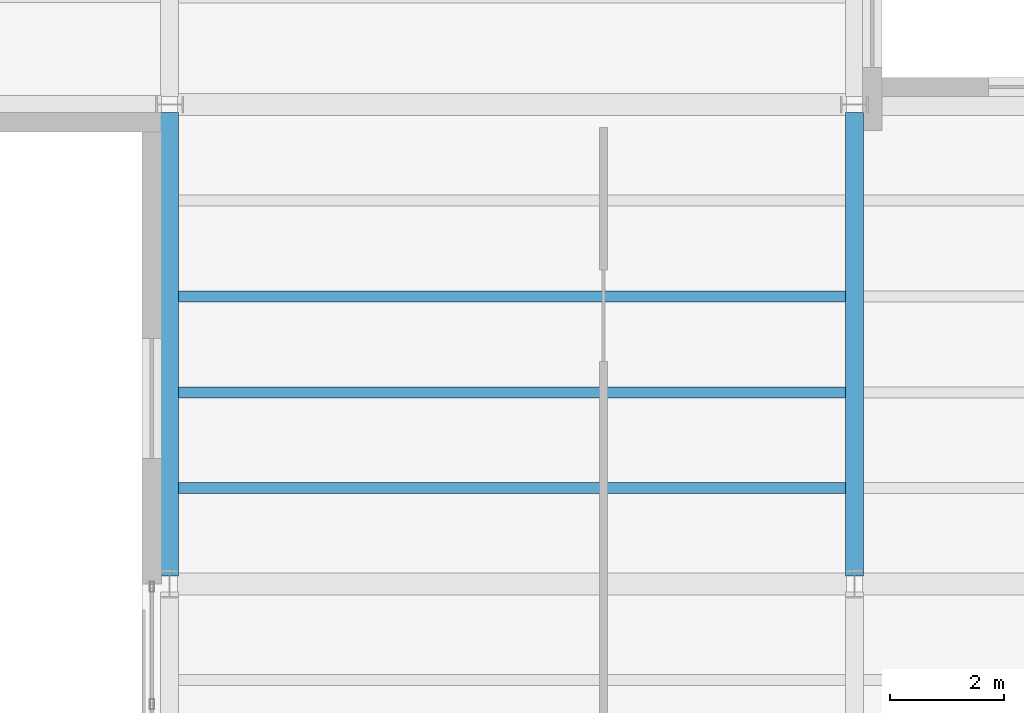
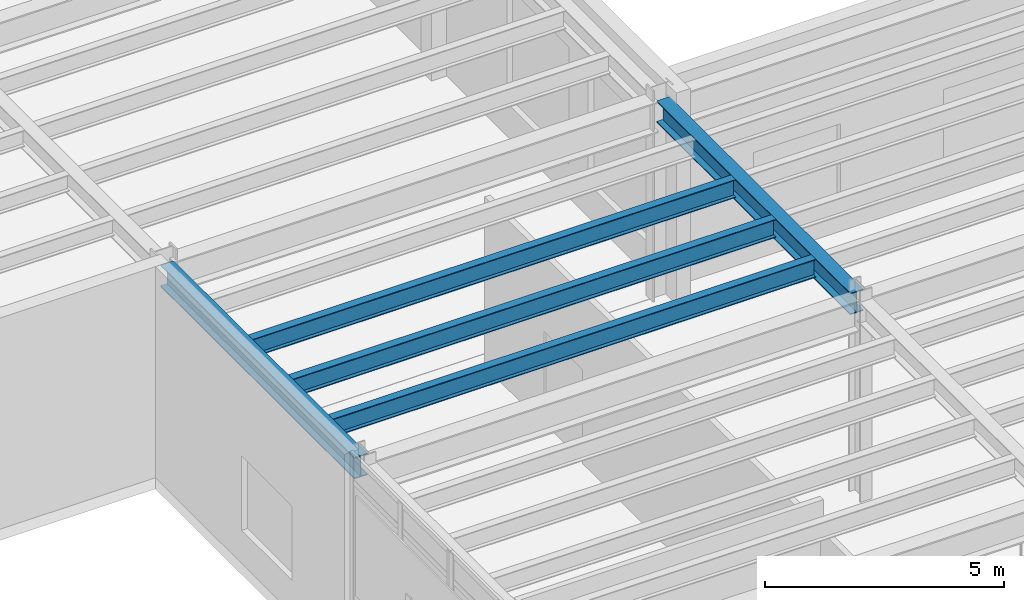
# One storey, part 37 of 98: 5 beams.
"""IFC4 building model written with IfcOpenShell, lengths in metres."""

import ifcopenshell
import ifcopenshell.guid

model = None  # the IFC model being written
_history = None  # IfcOwnerHistory: only IFC2X3 demands one
_inside = {}  # id of a spatial element -> (the spatial element, [elements in it])
_under = {}  # id of a project, library or spatial element -> (it, [spatial elements below it])
_declared = {}  # id of a project -> (the project, [libraries it declares])
_typed = {}  # id of a type object -> (the type object, [elements of that type])
_made_of = {}  # id of a material, layer set ... -> (it, [elements and type objects made of it])


def new_model(schema):
    """Start an empty IFC model of exactly this schema.

    Asked for "IFC4X3", IfcOpenShell would pick the latest addendum, in which some entities
    have other attributes; the version numbers below select the first issue.
    IFC2X3 requires an IfcOwnerHistory on every rooted entity: one is made here for all.
    """
    global model, _history
    if schema == "IFC4X3":
        model = ifcopenshell.file(schema_version=(4, 3, 0, 0))
    else:
        model = ifcopenshell.file(schema=schema)
    _inside.clear()
    _under.clear()
    _declared.clear()
    _typed.clear()
    _made_of.clear()
    _history = None
    if model.schema == "IFC2X3":
        org = make("IfcOrganization", Name="unknown")
        user = make(
            "IfcPersonAndOrganization",
            ThePerson=make("IfcPerson", FamilyName="unknown"),
            TheOrganization=org,
        )
        app = make(
            "IfcApplication",
            ApplicationDeveloper=org,
            Version="unknown",
            ApplicationFullName="unknown",
            ApplicationIdentifier="unknown",
        )
        _history = make(
            "IfcOwnerHistory",
            OwningUser=user,
            OwningApplication=app,
            ChangeAction="ADDED",
            CreationDate=0,
        )
    return model


def make(cls, **values):
    """One entity of the class cls with the attributes given. An attribute that is None is left unset."""
    return model.create_entity(
        cls, **{name: value for name, value in values.items() if value is not None}
    )


def rooted(cls, **values):
    """An entity with a GlobalId (a new one), such as an element, a storey or a relation."""
    return make(cls, GlobalId=ifcopenshell.guid.new(), OwnerHistory=_history, **values)


def si_unit(unit_type, name, prefix=None):
    """IfcSIUnit, for example si_unit("LENGTHUNIT", "METRE", prefix="MILLI")."""
    return make("IfcSIUnit", UnitType=unit_type, Prefix=prefix, Name=name)


def assignment(units):
    """IfcUnitAssignment: the units of a project."""
    return None if units is None else make("IfcUnitAssignment", Units=units)


def point(xyz):
    """IfcCartesianPoint."""
    return None if xyz is None else make("IfcCartesianPoint", Coordinates=xyz)


def direction(xyz):
    """IfcDirection."""
    return None if xyz is None else make("IfcDirection", DirectionRatios=xyz)


def frame(location, z_axis=None, x_axis=None):
    """IfcAxis2Placement3D, a coordinate frame: its origin and axes. An axis left out is left unset."""
    return make(
        "IfcAxis2Placement3D",
        Location=point(location),
        Axis=direction(z_axis),
        RefDirection=direction(x_axis),
    )


def frame_2d(location, x_axis=None):
    """IfcAxis2Placement2D, a coordinate frame in the plane: its origin and x axis."""
    return make(
        "IfcAxis2Placement2D", Location=point(location), RefDirection=direction(x_axis)
    )


def origin():
    """The frame at (0, 0, 0) with its axes left unset."""
    return frame((0.0, 0.0, 0.0))


def origin_2d():
    """The frame at (0, 0) in the plane with its x axis left unset."""
    return frame_2d((0.0, 0.0))


def place(relative_to, where):
    """IfcLocalPlacement: puts the frame where relative to a parent placement (None: the world)."""
    return make(
        "IfcLocalPlacement", PlacementRelTo=relative_to, RelativePlacement=where
    )


def context(
    kind, dimensions, precision=None, world=None, true_north=None, identifier=None
):
    """IfcGeometricRepresentationContext, for example the 3D "Model" context."""
    return make(
        "IfcGeometricRepresentationContext",
        ContextIdentifier=identifier,
        ContextType=kind,
        CoordinateSpaceDimension=dimensions,
        Precision=precision,
        WorldCoordinateSystem=world,
        TrueNorth=true_north,
    )


def subcontext(parent, identifier, kind, view, scale=None):
    """IfcGeometricRepresentationSubContext, for example "Body" below "Model"."""
    return make(
        "IfcGeometricRepresentationSubContext",
        ContextIdentifier=identifier,
        ContextType=kind,
        ParentContext=parent,
        TargetScale=scale,
        TargetView=view,
    )


def project(units=None, contexts=None):
    """IfcProject with its units and contexts."""
    return rooted(
        "IfcProject",
        Name="project",
        RepresentationContexts=contexts,
        UnitsInContext=assignment(units),
    )


def spatial(cls, under=None, at=None, **own):
    """A site, building, storey or space (cls), placed at a placement, below another one or the project."""
    s = rooted(cls, ObjectPlacement=at, **own)
    if under is not None:
        _under.setdefault(under.id(), (under, []))[1].append(s)
    return s


def profile(cls, at=None, kind="AREA", **sizes):
    """A parametric profile (cls). Its sizes go by their IFC names, for example OverallWidth=200.0."""
    return make(cls, ProfileType=kind, Position=at, **sizes)


def i_section(**sizes):
    """IfcIShapeProfileDef."""
    return profile("IfcIShapeProfileDef", **sizes)


def extrude(swept, where, along, depth):
    """IfcExtrudedAreaSolid: the profile swept, set in the frame where, extruded along a direction by depth."""
    return make(
        "IfcExtrudedAreaSolid",
        SweptArea=swept,
        Position=where,
        ExtrudedDirection=direction(along),
        Depth=depth,
    )


def shape(context_of_items, identifier, shape_type, items):
    """IfcShapeRepresentation: the items that make up one representation, for example the "Body"."""
    return make(
        "IfcShapeRepresentation",
        ContextOfItems=context_of_items,
        RepresentationIdentifier=identifier,
        RepresentationType=shape_type,
        Items=items,
    )


def material(Name=None, Category=None):
    """IfcMaterial."""
    return make("IfcMaterial", Name=Name, Category=Category)


def material_profile(
    of_material, cross_section, Name=None, Category=None, Priority=None
):
    """IfcMaterialProfile: a cross section and its material."""
    return make(
        "IfcMaterialProfile",
        Name=Name,
        Material=of_material,
        Profile=cross_section,
        Priority=Priority,
        Category=Category,
    )


def profile_set(profiles, Name=None, composite=None):
    """IfcMaterialProfileSet."""
    return make(
        "IfcMaterialProfileSet",
        Name=Name,
        MaterialProfiles=profiles,
        CompositeProfile=composite,
    )


def made_of(thing, what):
    """Note that an element or type object is made of a material, layer set ...; save() writes the relation."""
    if what is not None:
        _made_of.setdefault(what.id(), (what, []))[1].append(thing)
    return thing


def type_object(cls, material=None, **own):
    """A type object (cls), such as IfcWallType, which elements share."""
    return made_of(rooted(cls, **own), material)


def element(
    cls,
    number,
    at=None,
    inside=None,
    cuts=None,
    type_object=None,
    material=None,
    context=None,
    identifier="Body",
    shape_type=None,
    held_by="IfcProductDefinitionShape",
    body=None,
    shapes=None,
    **own,
):
    """One element of the class cls, such as IfcWall. Its Tag is "e" and its number.

    at: its placement. inside: the storey or other place that contains it. cuts: it is an
    opening in that element (IfcRelVoidsElement). A single representation is given by context,
    identifier, shape_type and body (its items); several are given by shapes. held_by: the class
    of the entity that holds the representations. save() writes the other relations.
    """
    e = rooted(cls, Tag="e%d" % number, ObjectPlacement=at, **own)
    if body is not None:
        shapes = [shape(context, identifier, shape_type, body)]
    if shapes is not None:
        e.Representation = make(held_by, Representations=shapes)
    if inside is not None:
        _inside.setdefault(inside.id(), (inside, []))[1].append(e)
    if cuts is not None:
        rooted(
            "IfcRelVoidsElement", RelatingBuildingElement=cuts, RelatedOpeningElement=e
        )
    if type_object is not None:
        _typed.setdefault(type_object.id(), (type_object, []))[1].append(e)
    return made_of(e, material)


def aggregate(whole, parts):
    """IfcRelAggregates: a whole, such as a stair, and the parts it consists of."""
    return rooted("IfcRelAggregates", RelatingObject=whole, RelatedObjects=parts)


def save(model, path):
    """Write the relations noted so far, then the file.

    IfcRelAggregates (storeys below a building ...), IfcRelContainedInSpatialStructure (elements
    in a storey), IfcRelDefinesByType, IfcRelAssociatesMaterial and IfcRelDeclares: one each for
    every whole, place, type object, material and project.
    """
    for whole, parts in _under.values():
        aggregate(whole, parts)
    for where, things in _inside.values():
        rooted(
            "IfcRelContainedInSpatialStructure",
            RelatedElements=things,
            RelatingStructure=where,
        )
    for kind, things in _typed.values():
        rooted("IfcRelDefinesByType", RelatedObjects=things, RelatingType=kind)
    for what, things in _made_of.values():
        rooted("IfcRelAssociatesMaterial", RelatedObjects=things, RelatingMaterial=what)
    for by, libraries in _declared.values():
        rooted("IfcRelDeclares", RelatingContext=by, RelatedDefinitions=libraries)
    model.write(path)


model = new_model("IFC4")

# Units and contexts
model_context = context("Model", 3, precision=1e-05, world=origin(), true_north=direction((0.0, 1.0)))
body_context = subcontext(model_context, "Body", "Model", "MODEL_VIEW")
ifc_project = project(units=[si_unit("LENGTHUNIT", "METRE"), si_unit("AREAUNIT", "SQUARE_METRE"), si_unit("VOLUMEUNIT", "CUBIC_METRE"), si_unit("PLANEANGLEUNIT", "RADIAN"), si_unit("MASSUNIT", "GRAM", prefix="KILO")], contexts=[model_context])

# Site, building, storey
site_placement = place(None, origin())
site = spatial("IfcSite", under=ifc_project, at=site_placement, CompositionType="ELEMENT")
building_placement = place(site_placement, origin())
building = spatial("IfcBuilding", under=site, at=building_placement, Name="Sollismere Congress Hotel", CompositionType="ELEMENT")
storey_placement = place(building_placement, frame((0.0, 0.0, 5.39990234375)))
storey = spatial("IfcBuildingStorey", under=building, at=storey_placement, Name="L01", CompositionType="ELEMENT", Elevation=5.39990234375)

# Beams
ifc_material = material(Name="Steel ASTM A992 Grade 50", Category="steel")
ifc_material_profile_1 = material_profile(ifc_material, i_section(OverallWidth=0.31494140625, OverallDepth=0.551025390625, WebThickness=0.01513671875, FlangeThickness=0.0244140625, at=origin_2d()), Name="W21X122")
ifc_profile_set_1 = profile_set([ifc_material_profile_1], Name="Steel ASTM A992 Grade 50")
beam_type_1 = type_object("IfcBeamType", Name="BM-G21H", PredefinedType="BEAM", material=ifc_profile_set_1)
for number, where, z_axis, x_axis, name in (
    (1, (112.0, 58.5400390625, 4.844482421875), (0.0, 1.0, 0.0), (-1.0, 0.0, 0.0), "Beam BM-L01-1685"),
    (2, (124.0, 58.5400390625, 4.844482421875), (0.0, 1.0, 0.0), (-1.0, 0.0, 0.0), "Beam BM-L01-1696"),
):
    element("IfcBeam", number, at=place(storey_placement, frame(where, z_axis=z_axis, x_axis=x_axis)), inside=storey, type_object=beam_type_1, Name=name, PredefinedType="BEAM", context=body_context, shape_type="SweptSolid", body=[
        extrude(i_section(OverallWidth=0.31494140625, OverallDepth=0.551025390625, WebThickness=0.01513671875, FlangeThickness=0.0244140625, at=origin_2d()), origin(), (0.0, 0.0, 1.0), 8.119873046875),
    ])
ifc_material_profile_2 = material_profile(ifc_material, i_section(OverallWidth=0.193115234375, OverallDepth=0.467041015625, WebThickness=0.011474609375, FlangeThickness=0.01904296875, at=origin_2d()), Name="W18X65")
ifc_profile_set_2 = profile_set([ifc_material_profile_2], Name="Steel ASTM A992 Grade 50")
beam_type_2 = type_object("IfcBeamType", Name="BM-J18", PredefinedType="JOIST", material=ifc_profile_set_2)
for number, where, z_axis, x_axis, name in (
    (3, (112.157470703125, 60.080078125, 4.88671875), (1.0, 0.0, 0.0), (0.0, 1.0, 0.0), "Beam BM-L01-1885"),
    (4, (112.157470703125, 61.760009765625, 4.88671875), (1.0, 0.0, 0.0), (0.0, 1.0, 0.0), "Beam BM-L01-1886"),
    (5, (112.157470703125, 63.43994140625, 4.88671875), (1.0, 0.0, 0.0), (0.0, 1.0, 0.0), "Beam BM-L01-1887"),
):
    element("IfcBeam", number, at=place(storey_placement, frame(where, z_axis=z_axis, x_axis=x_axis)), inside=storey, type_object=beam_type_2, Name=name, PredefinedType="JOIST", context=body_context, shape_type="SweptSolid", body=[
        extrude(i_section(OverallWidth=0.193115234375, OverallDepth=0.467041015625, WebThickness=0.011474609375, FlangeThickness=0.01904296875, at=origin_2d()), origin(), (0.0, 0.0, 1.0), 11.68505859375),
    ])

save(model, "model.ifc")
